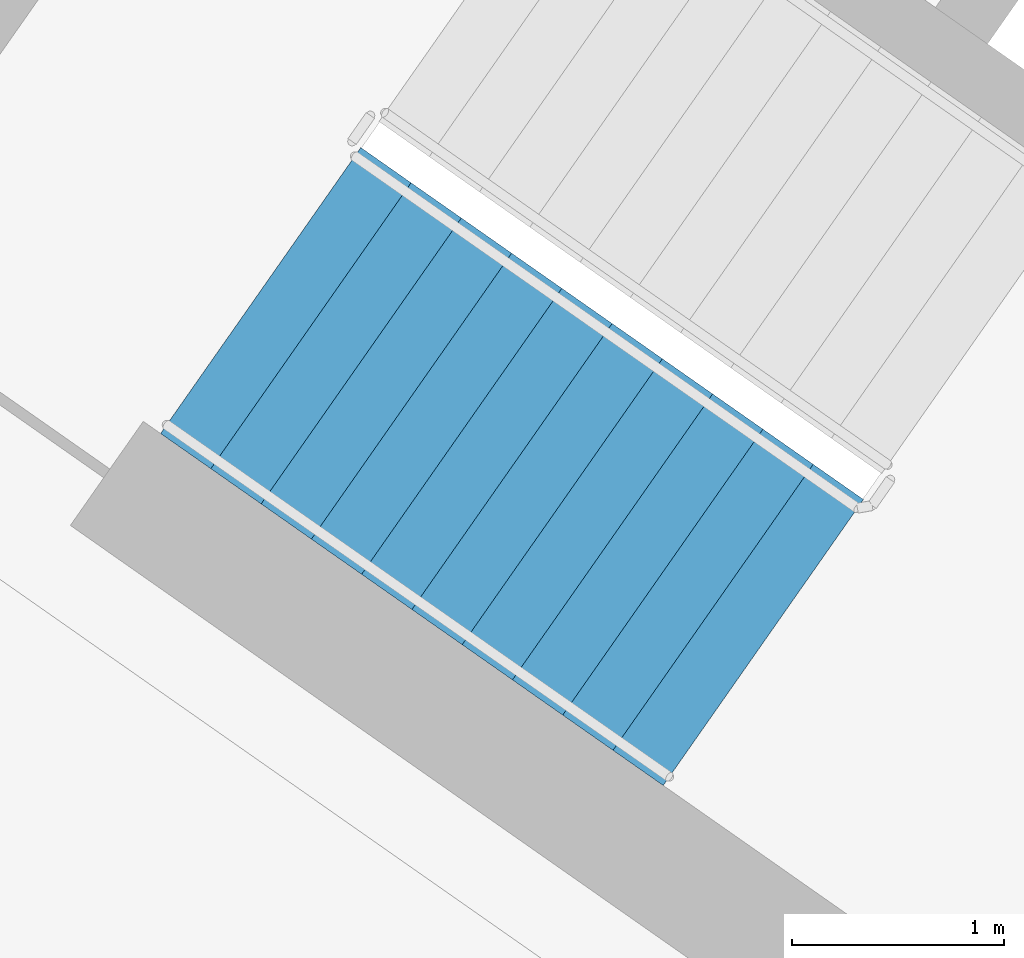
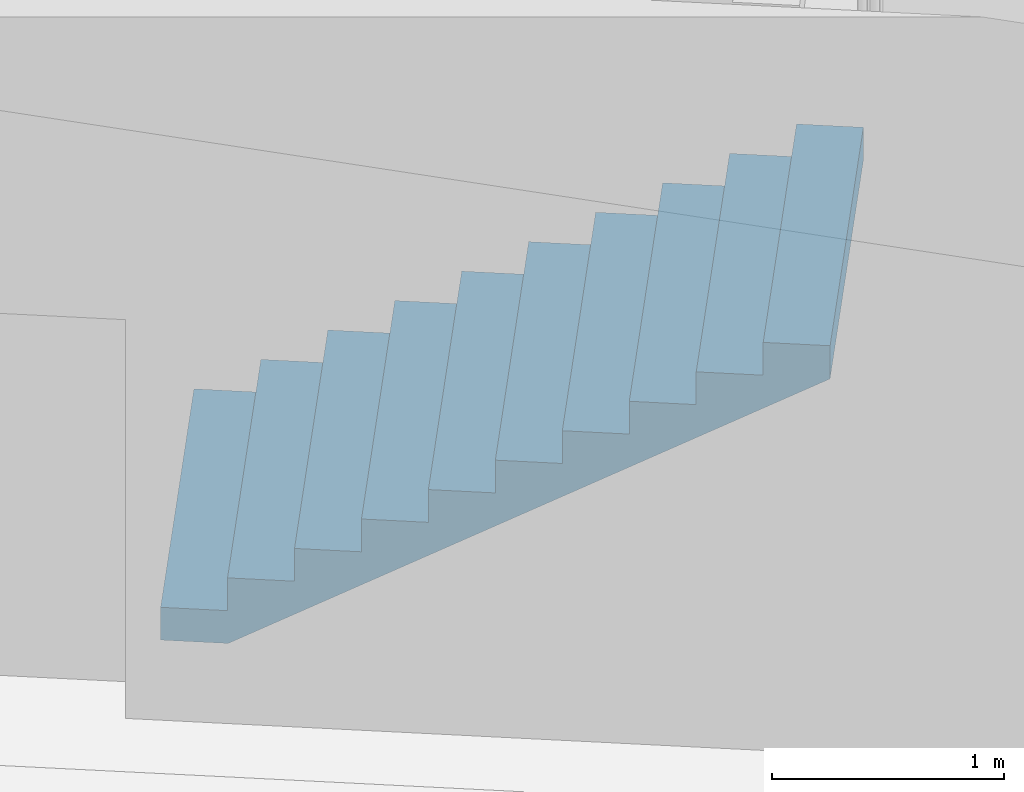
# One storey, part 9 of 27: 1 stair flight, 1 element without a shape of its own.
"""IFC4 building model written with IfcOpenShell, lengths in metres."""

from ifc_helpers import new_model, si_unit, direction, frame, origin, place, context, subcontext, project, spatial, faceted_brep, material, type_object, element, aggregate, save


model = new_model("IFC4")

# Units and contexts
model_context = context("Model", 3, precision=1e-05, world=origin(), true_north=direction((0.0, 1.0)))
body_context = subcontext(model_context, "Body", "Model", "MODEL_VIEW")
ifc_project = project(units=[si_unit("LENGTHUNIT", "METRE"), si_unit("AREAUNIT", "SQUARE_METRE"), si_unit("VOLUMEUNIT", "CUBIC_METRE"), si_unit("PLANEANGLEUNIT", "RADIAN"), si_unit("MASSUNIT", "GRAM", prefix="KILO")], contexts=[model_context])

# Site, building, storey
site_placement = place(None, origin())
site = spatial("IfcSite", under=ifc_project, at=site_placement, CompositionType="ELEMENT")
building_placement = place(site_placement, origin())
building = spatial("IfcBuilding", under=site, at=building_placement, Name="Qamariyya Broadcast Tower", CompositionType="ELEMENT")
storey_placement = place(building_placement, frame((0.0, 0.0, 222.699951171875)))
storey = spatial("IfcBuildingStorey", under=building, at=storey_placement, Name="L53", CompositionType="ELEMENT", Elevation=222.699951171875)

# Stair, stair flight
ifc_material = material(Name="Concrete C50/60", Category="concrete")
stair_type = type_object("IfcStairType", Name="Exit stair 22 risers of 173 mm", PredefinedType="HALF_TURN_STAIR", material=ifc_material)
stair_placement = place(storey_placement, origin())
stair = element("IfcStair", 1, at=stair_placement, inside=storey, type_object=stair_type, Name="L53 Stair W1", PredefinedType="HALF_TURN_STAIR")
stair_flight_type = type_object("IfcStairFlightType", Name="Exit stair flight 11 risers of 173 mm", PredefinedType="STRAIGHT", material=ifc_material)
stair_flight_placement = place(storey_placement, frame((-47.06884765625, -56.982666015625, 0.0), z_axis=(0.0, 0.0, 1.0), x_axis=(0.819152044289, -0.573576436351, 0.0)))
stair_flight = element("IfcStairFlight", 2, at=stair_flight_placement, type_object=stair_flight_type, Name="ST-W1 flight 1", NumberOfRisers=11, NumberOfTreads=10, PredefinedType="STRAIGHT", RiserHeight=0.172727273, TreadLength=0.29, context=body_context, shape_type="Brep", body=[
    faceted_brep([(0.0, 0.824951171875, 0.0), (0.0, 0.824951171875, 0.172607421875), (0.2900390625, 0.824951171875, 0.172607421875), (0.2900390625, 0.824951171875, 0.345458984375), (0.580078125, 0.824951171875, 0.345458984375), (0.580078125, 0.824951171875, 0.51806640625), (0.8701171875, 0.824951171875, 0.51806640625), (0.8701171875, 0.824951171875, 0.69091796875), (1.159912109375, 0.824951171875, 0.69091796875), (1.159912109375, 0.824951171875, 0.863525390625), (1.449951171875, 0.824951171875, 0.863525390625), (1.449951171875, 0.824951171875, 1.036376953125), (1.739990234375, 0.824951171875, 1.036376953125), (1.739990234375, 0.824951171875, 1.208984375), (2.030029296875, 0.824951171875, 1.208984375), (2.030029296875, 0.824951171875, 1.3818359375), (2.320068359375, 0.824951171875, 1.3818359375), (2.320068359375, 0.824951171875, 1.554443359375), (2.610107421875, 0.824951171875, 1.554443359375), (2.610107421875, 0.824951171875, 1.727294921875), (2.89990234375, 0.824951171875, 1.727294921875), (2.89990234375, 0.824951171875, 1.552734375), (0.29296875, 0.824951171875, 0.0), (0.29296875, -0.824951171875, 0.0), (2.89990234375, -0.824951171875, 1.552734375), (2.89990234375, -0.824951171875, 1.727294921875), (2.610107421875, -0.824951171875, 1.727294921875), (2.610107421875, -0.824951171875, 1.554443359375), (2.320068359375, -0.824951171875, 1.554443359375), (2.320068359375, -0.824951171875, 1.3818359375), (2.030029296875, -0.824951171875, 1.3818359375), (2.030029296875, -0.824951171875, 1.208984375), (1.739990234375, -0.824951171875, 1.208984375), (1.739990234375, -0.824951171875, 1.036376953125), (1.449951171875, -0.824951171875, 1.036376953125), (1.449951171875, -0.824951171875, 0.863525390625), (1.159912109375, -0.824951171875, 0.863525390625), (1.159912109375, -0.824951171875, 0.69091796875), (0.8701171875, -0.824951171875, 0.69091796875), (0.8701171875, -0.824951171875, 0.51806640625), (0.580078125, -0.824951171875, 0.51806640625), (0.580078125, -0.824951171875, 0.345458984375), (0.2900390625, -0.824951171875, 0.345458984375), (0.2900390625, -0.824951171875, 0.172607421875), (0.0, -0.824951171875, 0.172607421875), (0.0, -0.824951171875, 0.0), (0.0, 0.10009765625, 0.0), (0.0, 0.086669921875, 0.0), (0.0, 0.0732421875, 0.0), (0.0, 0.06005859375, 0.0), (0.0, 0.046630859375, 0.0), (0.0, 0.033447265625, 0.0), (0.0, 0.02001953125, 0.0), (0.0, 0.006591796875, 0.0), (0.0, -0.006591796875, 0.0), (0.0, -0.02001953125, 0.0), (0.0, -0.033447265625, 0.0), (0.0, -0.046630859375, 0.0), (0.0, -0.06005859375, 0.0), (0.0, -0.0732421875, 0.0), (0.0, -0.086669921875, 0.0), (0.0, -0.10009765625, 0.0), (0.0, -0.10009765625, 0.172607421875), (0.0, -0.086669921875, 0.172607421875), (0.0, -0.0732421875, 0.172607421875), (0.0, -0.06005859375, 0.172607421875), (0.0, -0.046630859375, 0.172607421875), (0.0, -0.033447265625, 0.172607421875), (0.0, -0.02001953125, 0.172607421875), (0.0, -0.006591796875, 0.172607421875), (0.0, 0.006591796875, 0.172607421875), (0.0, 0.02001953125, 0.172607421875), (0.0, 0.033447265625, 0.172607421875), (0.0, 0.046630859375, 0.172607421875), (0.0, 0.06005859375, 0.172607421875), (0.0, 0.0732421875, 0.172607421875), (0.0, 0.086669921875, 0.172607421875), (0.0, 0.10009765625, 0.172607421875), (0.2900390625, -0.10009765625, 0.172607421875), (0.2900390625, -0.086669921875, 0.172607421875), (0.2900390625, -0.0732421875, 0.172607421875), (0.2900390625, -0.06005859375, 0.172607421875), (0.2900390625, -0.046630859375, 0.172607421875), (0.2900390625, -0.033447265625, 0.172607421875), (0.2900390625, -0.02001953125, 0.172607421875), (0.2900390625, -0.006591796875, 0.172607421875), (0.2900390625, 0.006591796875, 0.172607421875), (0.2900390625, 0.02001953125, 0.172607421875), (0.2900390625, 0.033447265625, 0.172607421875), (0.2900390625, 0.046630859375, 0.172607421875), (0.2900390625, 0.06005859375, 0.172607421875), (0.2900390625, 0.0732421875, 0.172607421875), (0.2900390625, 0.086669921875, 0.172607421875), (0.2900390625, 0.10009765625, 0.172607421875), (0.2900390625, -0.10009765625, 0.345458984375), (0.2900390625, -0.086669921875, 0.345458984375), (0.2900390625, -0.0732421875, 0.345458984375), (0.2900390625, -0.06005859375, 0.345458984375), (0.2900390625, -0.046630859375, 0.345458984375), (0.2900390625, -0.033447265625, 0.345458984375), (0.2900390625, -0.02001953125, 0.345458984375), (0.2900390625, -0.006591796875, 0.345458984375), (0.2900390625, 0.006591796875, 0.345458984375), (0.2900390625, 0.02001953125, 0.345458984375), (0.2900390625, 0.033447265625, 0.345458984375), (0.2900390625, 0.046630859375, 0.345458984375), (0.2900390625, 0.06005859375, 0.345458984375), (0.2900390625, 0.0732421875, 0.345458984375), (0.2900390625, 0.086669921875, 0.345458984375), (0.2900390625, 0.10009765625, 0.345458984375), (0.580078125, -0.10009765625, 0.345458984375), (0.580078125, -0.086669921875, 0.345458984375), (0.580078125, -0.0732421875, 0.345458984375), (0.580078125, -0.06005859375, 0.345458984375), (0.580078125, -0.046630859375, 0.345458984375), (0.580078125, -0.033447265625, 0.345458984375), (0.580078125, -0.02001953125, 0.345458984375), (0.580078125, -0.006591796875, 0.345458984375), (0.580078125, 0.006591796875, 0.345458984375), (0.580078125, 0.02001953125, 0.345458984375), (0.580078125, 0.033447265625, 0.345458984375), (0.580078125, 0.046630859375, 0.345458984375), (0.580078125, 0.06005859375, 0.345458984375), (0.580078125, 0.0732421875, 0.345458984375), (0.580078125, 0.086669921875, 0.345458984375), (0.580078125, 0.10009765625, 0.345458984375), (0.580078125, -0.10009765625, 0.51806640625), (0.580078125, -0.086669921875, 0.51806640625), (0.580078125, -0.0732421875, 0.51806640625), (0.580078125, -0.06005859375, 0.51806640625), (0.580078125, -0.046630859375, 0.51806640625), (0.580078125, -0.033447265625, 0.51806640625), (0.580078125, -0.02001953125, 0.51806640625), (0.580078125, -0.006591796875, 0.51806640625), (0.580078125, 0.006591796875, 0.51806640625), (0.580078125, 0.02001953125, 0.51806640625), (0.580078125, 0.033447265625, 0.51806640625), (0.580078125, 0.046630859375, 0.51806640625), (0.580078125, 0.06005859375, 0.51806640625), (0.580078125, 0.0732421875, 0.51806640625), (0.580078125, 0.086669921875, 0.51806640625), (0.580078125, 0.10009765625, 0.51806640625), (0.8701171875, -0.10009765625, 0.51806640625), (0.8701171875, -0.086669921875, 0.51806640625), (0.8701171875, -0.0732421875, 0.51806640625), (0.8701171875, -0.06005859375, 0.51806640625), (0.8701171875, -0.046630859375, 0.51806640625), (0.8701171875, -0.033447265625, 0.51806640625), (0.8701171875, -0.02001953125, 0.51806640625), (0.8701171875, -0.006591796875, 0.51806640625), (0.8701171875, 0.006591796875, 0.51806640625), (0.8701171875, 0.02001953125, 0.51806640625), (0.8701171875, 0.033447265625, 0.51806640625), (0.8701171875, 0.046630859375, 0.51806640625), (0.8701171875, 0.06005859375, 0.51806640625), (0.8701171875, 0.0732421875, 0.51806640625), (0.8701171875, 0.086669921875, 0.51806640625), (0.8701171875, 0.10009765625, 0.51806640625), (0.8701171875, -0.10009765625, 0.69091796875), (0.8701171875, -0.086669921875, 0.69091796875), (0.8701171875, -0.0732421875, 0.69091796875), (0.8701171875, -0.06005859375, 0.69091796875), (0.8701171875, -0.046630859375, 0.69091796875), (0.8701171875, -0.033447265625, 0.69091796875), (0.8701171875, -0.02001953125, 0.69091796875), (0.8701171875, -0.006591796875, 0.69091796875), (0.8701171875, 0.006591796875, 0.69091796875), (0.8701171875, 0.02001953125, 0.69091796875), (0.8701171875, 0.033447265625, 0.69091796875), (0.8701171875, 0.046630859375, 0.69091796875), (0.8701171875, 0.06005859375, 0.69091796875), (0.8701171875, 0.0732421875, 0.69091796875), (0.8701171875, 0.086669921875, 0.69091796875), (0.8701171875, 0.10009765625, 0.69091796875), (1.159912109375, -0.10009765625, 0.69091796875), (1.159912109375, -0.086669921875, 0.69091796875), (1.159912109375, -0.0732421875, 0.69091796875), (1.159912109375, -0.06005859375, 0.69091796875), (1.159912109375, -0.046630859375, 0.69091796875), (1.159912109375, -0.033447265625, 0.69091796875), (1.159912109375, -0.02001953125, 0.69091796875), (1.159912109375, -0.006591796875, 0.69091796875), (1.159912109375, 0.006591796875, 0.69091796875), (1.159912109375, 0.02001953125, 0.69091796875), (1.159912109375, 0.033447265625, 0.69091796875), (1.159912109375, 0.046630859375, 0.69091796875), (1.159912109375, 0.06005859375, 0.69091796875), (1.159912109375, 0.0732421875, 0.69091796875), (1.159912109375, 0.086669921875, 0.69091796875), (1.159912109375, 0.10009765625, 0.69091796875), (1.159912109375, -0.10009765625, 0.863525390625), (1.159912109375, -0.086669921875, 0.863525390625), (1.159912109375, -0.0732421875, 0.863525390625), (1.159912109375, -0.06005859375, 0.863525390625), (1.159912109375, -0.046630859375, 0.863525390625), (1.159912109375, -0.033447265625, 0.863525390625), (1.159912109375, -0.02001953125, 0.863525390625), (1.159912109375, -0.006591796875, 0.863525390625), (1.159912109375, 0.006591796875, 0.863525390625), (1.159912109375, 0.02001953125, 0.863525390625), (1.159912109375, 0.033447265625, 0.863525390625), (1.159912109375, 0.046630859375, 0.863525390625), (1.159912109375, 0.06005859375, 0.863525390625), (1.159912109375, 0.0732421875, 0.863525390625), (1.159912109375, 0.086669921875, 0.863525390625), (1.159912109375, 0.10009765625, 0.863525390625), (1.449951171875, -0.10009765625, 0.863525390625), (1.449951171875, -0.086669921875, 0.863525390625), (1.449951171875, -0.0732421875, 0.863525390625), (1.449951171875, -0.06005859375, 0.863525390625), (1.449951171875, -0.046630859375, 0.863525390625), (1.449951171875, -0.033447265625, 0.863525390625), (1.449951171875, -0.02001953125, 0.863525390625), (1.449951171875, -0.006591796875, 0.863525390625), (1.449951171875, 0.006591796875, 0.863525390625), (1.449951171875, 0.02001953125, 0.863525390625), (1.449951171875, 0.033447265625, 0.863525390625), (1.449951171875, 0.046630859375, 0.863525390625), (1.449951171875, 0.06005859375, 0.863525390625), (1.449951171875, 0.0732421875, 0.863525390625), (1.449951171875, 0.086669921875, 0.863525390625), (1.449951171875, 0.10009765625, 0.863525390625), (1.449951171875, -0.10009765625, 1.036376953125), (1.449951171875, -0.086669921875, 1.036376953125), (1.449951171875, -0.0732421875, 1.036376953125), (1.449951171875, -0.06005859375, 1.036376953125), (1.449951171875, -0.046630859375, 1.036376953125), (1.449951171875, -0.033447265625, 1.036376953125), (1.449951171875, -0.02001953125, 1.036376953125), (1.449951171875, -0.006591796875, 1.036376953125), (1.449951171875, 0.006591796875, 1.036376953125), (1.449951171875, 0.02001953125, 1.036376953125), (1.449951171875, 0.033447265625, 1.036376953125), (1.449951171875, 0.046630859375, 1.036376953125), (1.449951171875, 0.06005859375, 1.036376953125), (1.449951171875, 0.0732421875, 1.036376953125), (1.449951171875, 0.086669921875, 1.036376953125), (1.449951171875, 0.10009765625, 1.036376953125), (1.739990234375, -0.10009765625, 1.036376953125), (1.739990234375, -0.086669921875, 1.036376953125), (1.739990234375, -0.0732421875, 1.036376953125), (1.739990234375, -0.06005859375, 1.036376953125), (1.739990234375, -0.046630859375, 1.036376953125), (1.739990234375, -0.033447265625, 1.036376953125), (1.739990234375, -0.02001953125, 1.036376953125), (1.739990234375, -0.006591796875, 1.036376953125), (1.739990234375, 0.006591796875, 1.036376953125), (1.739990234375, 0.02001953125, 1.036376953125), (1.739990234375, 0.033447265625, 1.036376953125), (1.739990234375, 0.046630859375, 1.036376953125), (1.739990234375, 0.06005859375, 1.036376953125), (1.739990234375, 0.0732421875, 1.036376953125), (1.739990234375, 0.086669921875, 1.036376953125), (1.739990234375, 0.10009765625, 1.036376953125), (1.739990234375, -0.10009765625, 1.208984375), (1.739990234375, -0.086669921875, 1.208984375), (1.739990234375, -0.0732421875, 1.208984375), (1.739990234375, -0.06005859375, 1.208984375), (1.739990234375, -0.046630859375, 1.208984375), (1.739990234375, -0.033447265625, 1.208984375), (1.739990234375, -0.02001953125, 1.208984375), (1.739990234375, -0.006591796875, 1.208984375), (1.739990234375, 0.006591796875, 1.208984375), (1.739990234375, 0.02001953125, 1.208984375), (1.739990234375, 0.033447265625, 1.208984375), (1.739990234375, 0.046630859375, 1.208984375), (1.739990234375, 0.06005859375, 1.208984375), (1.739990234375, 0.0732421875, 1.208984375), (1.739990234375, 0.086669921875, 1.208984375), (1.739990234375, 0.10009765625, 1.208984375), (2.030029296875, -0.10009765625, 1.208984375), (2.030029296875, -0.086669921875, 1.208984375), (2.030029296875, -0.0732421875, 1.208984375), (2.030029296875, -0.06005859375, 1.208984375), (2.030029296875, -0.046630859375, 1.208984375), (2.030029296875, -0.033447265625, 1.208984375), (2.030029296875, -0.02001953125, 1.208984375), (2.030029296875, -0.006591796875, 1.208984375), (2.030029296875, 0.006591796875, 1.208984375), (2.030029296875, 0.02001953125, 1.208984375), (2.030029296875, 0.033447265625, 1.208984375), (2.030029296875, 0.046630859375, 1.208984375), (2.030029296875, 0.06005859375, 1.208984375), (2.030029296875, 0.0732421875, 1.208984375), (2.030029296875, 0.086669921875, 1.208984375), (2.030029296875, 0.10009765625, 1.208984375), (2.030029296875, -0.10009765625, 1.3818359375), (2.030029296875, -0.086669921875, 1.3818359375), (2.030029296875, -0.0732421875, 1.3818359375), (2.030029296875, -0.06005859375, 1.3818359375), (2.030029296875, -0.046630859375, 1.3818359375), (2.030029296875, -0.033447265625, 1.3818359375), (2.030029296875, -0.02001953125, 1.3818359375), (2.030029296875, -0.006591796875, 1.3818359375), (2.030029296875, 0.006591796875, 1.3818359375), (2.030029296875, 0.02001953125, 1.3818359375), (2.030029296875, 0.033447265625, 1.3818359375), (2.030029296875, 0.046630859375, 1.3818359375), (2.030029296875, 0.06005859375, 1.3818359375), (2.030029296875, 0.0732421875, 1.3818359375), (2.030029296875, 0.086669921875, 1.3818359375), (2.030029296875, 0.10009765625, 1.3818359375), (2.320068359375, -0.10009765625, 1.3818359375), (2.320068359375, -0.086669921875, 1.3818359375), (2.320068359375, -0.0732421875, 1.3818359375), (2.320068359375, -0.06005859375, 1.3818359375), (2.320068359375, -0.046630859375, 1.3818359375), (2.320068359375, -0.033447265625, 1.3818359375), (2.320068359375, -0.02001953125, 1.3818359375), (2.320068359375, -0.006591796875, 1.3818359375), (2.320068359375, 0.006591796875, 1.3818359375), (2.320068359375, 0.02001953125, 1.3818359375), (2.320068359375, 0.033447265625, 1.3818359375), (2.320068359375, 0.046630859375, 1.3818359375), (2.320068359375, 0.06005859375, 1.3818359375), (2.320068359375, 0.0732421875, 1.3818359375), (2.320068359375, 0.086669921875, 1.3818359375), (2.320068359375, 0.10009765625, 1.3818359375), (2.320068359375, -0.10009765625, 1.554443359375), (2.320068359375, -0.086669921875, 1.554443359375), (2.320068359375, -0.0732421875, 1.554443359375), (2.320068359375, -0.06005859375, 1.554443359375), (2.320068359375, -0.046630859375, 1.554443359375), (2.320068359375, -0.033447265625, 1.554443359375), (2.320068359375, -0.02001953125, 1.554443359375), (2.320068359375, -0.006591796875, 1.554443359375), (2.320068359375, 0.006591796875, 1.554443359375), (2.320068359375, 0.02001953125, 1.554443359375), (2.320068359375, 0.033447265625, 1.554443359375), (2.320068359375, 0.046630859375, 1.554443359375), (2.320068359375, 0.06005859375, 1.554443359375), (2.320068359375, 0.0732421875, 1.554443359375), (2.320068359375, 0.086669921875, 1.554443359375), (2.320068359375, 0.10009765625, 1.554443359375), (2.610107421875, -0.10009765625, 1.554443359375), (2.610107421875, -0.086669921875, 1.554443359375), (2.610107421875, -0.0732421875, 1.554443359375), (2.610107421875, -0.06005859375, 1.554443359375), (2.610107421875, -0.046630859375, 1.554443359375), (2.610107421875, -0.033447265625, 1.554443359375), (2.610107421875, -0.02001953125, 1.554443359375), (2.610107421875, -0.006591796875, 1.554443359375), (2.610107421875, 0.006591796875, 1.554443359375), (2.610107421875, 0.02001953125, 1.554443359375), (2.610107421875, 0.033447265625, 1.554443359375), (2.610107421875, 0.046630859375, 1.554443359375), (2.610107421875, 0.06005859375, 1.554443359375), (2.610107421875, 0.0732421875, 1.554443359375), (2.610107421875, 0.086669921875, 1.554443359375), (2.610107421875, 0.10009765625, 1.554443359375), (2.610107421875, -0.10009765625, 1.727294921875), (2.610107421875, -0.086669921875, 1.727294921875), (2.610107421875, -0.0732421875, 1.727294921875), (2.610107421875, -0.06005859375, 1.727294921875), (2.610107421875, -0.046630859375, 1.727294921875), (2.610107421875, -0.033447265625, 1.727294921875), (2.610107421875, -0.02001953125, 1.727294921875), (2.610107421875, -0.006591796875, 1.727294921875), (2.610107421875, 0.006591796875, 1.727294921875), (2.610107421875, 0.02001953125, 1.727294921875), (2.610107421875, 0.033447265625, 1.727294921875), (2.610107421875, 0.046630859375, 1.727294921875), (2.610107421875, 0.06005859375, 1.727294921875), (2.610107421875, 0.0732421875, 1.727294921875), (2.610107421875, 0.086669921875, 1.727294921875), (2.610107421875, 0.10009765625, 1.727294921875), (2.89990234375, -0.10009765625, 1.727294921875), (2.89990234375, -0.086669921875, 1.727294921875), (2.89990234375, -0.0732421875, 1.727294921875), (2.89990234375, -0.06005859375, 1.727294921875), (2.89990234375, -0.046630859375, 1.727294921875), (2.89990234375, -0.033447265625, 1.727294921875), (2.89990234375, -0.02001953125, 1.727294921875), (2.89990234375, -0.006591796875, 1.727294921875), (2.89990234375, 0.006591796875, 1.727294921875), (2.89990234375, 0.02001953125, 1.727294921875), (2.89990234375, 0.033447265625, 1.727294921875), (2.89990234375, 0.046630859375, 1.727294921875), (2.89990234375, 0.06005859375, 1.727294921875), (2.89990234375, 0.0732421875, 1.727294921875), (2.89990234375, 0.086669921875, 1.727294921875), (2.89990234375, 0.10009765625, 1.727294921875), (2.89990234375, -0.10009765625, 1.552734375), (2.89990234375, -0.086669921875, 1.552734375), (2.89990234375, -0.0732421875, 1.552734375), (2.89990234375, -0.06005859375, 1.552734375), (2.89990234375, -0.046630859375, 1.552734375), (2.89990234375, -0.033447265625, 1.552734375), (2.89990234375, -0.02001953125, 1.552734375), (2.89990234375, -0.006591796875, 1.552734375), (2.89990234375, 0.006591796875, 1.552734375), (2.89990234375, 0.02001953125, 1.552734375), (2.89990234375, 0.033447265625, 1.552734375), (2.89990234375, 0.046630859375, 1.552734375), (2.89990234375, 0.06005859375, 1.552734375), (2.89990234375, 0.0732421875, 1.552734375), (2.89990234375, 0.086669921875, 1.552734375), (2.89990234375, 0.10009765625, 1.552734375), (0.29296875, -0.10009765625, 0.0), (0.29296875, -0.086669921875, 0.0), (0.29296875, -0.0732421875, 0.0), (0.29296875, -0.06005859375, 0.0), (0.29296875, -0.046630859375, 0.0), (0.29296875, -0.033447265625, 0.0), (0.29296875, -0.02001953125, 0.0), (0.29296875, -0.006591796875, 0.0), (0.29296875, 0.006591796875, 0.0), (0.29296875, 0.02001953125, 0.0), (0.29296875, 0.033447265625, 0.0), (0.29296875, 0.046630859375, 0.0), (0.29296875, 0.06005859375, 0.0), (0.29296875, 0.0732421875, 0.0), (0.29296875, 0.086669921875, 0.0), (0.29296875, 0.10009765625, 0.0)], [[[0, 1, 2, 3, 4, 5, 6, 7, 8, 9, 10, 11, 12, 13, 14, 15, 16, 17, 18, 19, 20, 21, 22]], [[23, 24, 25, 26, 27, 28, 29, 30, 31, 32, 33, 34, 35, 36, 37, 38, 39, 40, 41, 42, 43, 44, 45]], [[0, 46, 47, 48, 49, 50, 51, 52, 53, 54, 55, 56, 57, 58, 59, 60, 61, 45, 44, 62, 63, 64, 65, 66, 67, 68, 69, 70, 71, 72, 73, 74, 75, 76, 77, 1]], [[1, 77, 76, 75, 74, 73, 72, 71, 70, 69, 68, 67, 66, 65, 64, 63, 62, 44, 43, 78, 79, 80, 81, 82, 83, 84, 85, 86, 87, 88, 89, 90, 91, 92, 93, 2]], [[2, 93, 92, 91, 90, 89, 88, 87, 86, 85, 84, 83, 82, 81, 80, 79, 78, 43, 42, 94, 95, 96, 97, 98, 99, 100, 101, 102, 103, 104, 105, 106, 107, 108, 109, 3]], [[3, 109, 108, 107, 106, 105, 104, 103, 102, 101, 100, 99, 98, 97, 96, 95, 94, 42, 41, 110, 111, 112, 113, 114, 115, 116, 117, 118, 119, 120, 121, 122, 123, 124, 125, 4]], [[4, 125, 124, 123, 122, 121, 120, 119, 118, 117, 116, 115, 114, 113, 112, 111, 110, 41, 40, 126, 127, 128, 129, 130, 131, 132, 133, 134, 135, 136, 137, 138, 139, 140, 141, 5]], [[5, 141, 140, 139, 138, 137, 136, 135, 134, 133, 132, 131, 130, 129, 128, 127, 126, 40, 39, 142, 143, 144, 145, 146, 147, 148, 149, 150, 151, 152, 153, 154, 155, 156, 157, 6]], [[6, 157, 156, 155, 154, 153, 152, 151, 150, 149, 148, 147, 146, 145, 144, 143, 142, 39, 38, 158, 159, 160, 161, 162, 163, 164, 165, 166, 167, 168, 169, 170, 171, 172, 173, 7]], [[7, 173, 172, 171, 170, 169, 168, 167, 166, 165, 164, 163, 162, 161, 160, 159, 158, 38, 37, 174, 175, 176, 177, 178, 179, 180, 181, 182, 183, 184, 185, 186, 187, 188, 189, 8]], [[8, 189, 188, 187, 186, 185, 184, 183, 182, 181, 180, 179, 178, 177, 176, 175, 174, 37, 36, 190, 191, 192, 193, 194, 195, 196, 197, 198, 199, 200, 201, 202, 203, 204, 205, 9]], [[9, 205, 204, 203, 202, 201, 200, 199, 198, 197, 196, 195, 194, 193, 192, 191, 190, 36, 35, 206, 207, 208, 209, 210, 211, 212, 213, 214, 215, 216, 217, 218, 219, 220, 221, 10]], [[10, 221, 220, 219, 218, 217, 216, 215, 214, 213, 212, 211, 210, 209, 208, 207, 206, 35, 34, 222, 223, 224, 225, 226, 227, 228, 229, 230, 231, 232, 233, 234, 235, 236, 237, 11]], [[11, 237, 236, 235, 234, 233, 232, 231, 230, 229, 228, 227, 226, 225, 224, 223, 222, 34, 33, 238, 239, 240, 241, 242, 243, 244, 245, 246, 247, 248, 249, 250, 251, 252, 253, 12]], [[12, 253, 252, 251, 250, 249, 248, 247, 246, 245, 244, 243, 242, 241, 240, 239, 238, 33, 32, 254, 255, 256, 257, 258, 259, 260, 261, 262, 263, 264, 265, 266, 267, 268, 269, 13]], [[13, 269, 268, 267, 266, 265, 264, 263, 262, 261, 260, 259, 258, 257, 256, 255, 254, 32, 31, 270, 271, 272, 273, 274, 275, 276, 277, 278, 279, 280, 281, 282, 283, 284, 285, 14]], [[14, 285, 284, 283, 282, 281, 280, 279, 278, 277, 276, 275, 274, 273, 272, 271, 270, 31, 30, 286, 287, 288, 289, 290, 291, 292, 293, 294, 295, 296, 297, 298, 299, 300, 301, 15]], [[15, 301, 300, 299, 298, 297, 296, 295, 294, 293, 292, 291, 290, 289, 288, 287, 286, 30, 29, 302, 303, 304, 305, 306, 307, 308, 309, 310, 311, 312, 313, 314, 315, 316, 317, 16]], [[16, 317, 316, 315, 314, 313, 312, 311, 310, 309, 308, 307, 306, 305, 304, 303, 302, 29, 28, 318, 319, 320, 321, 322, 323, 324, 325, 326, 327, 328, 329, 330, 331, 332, 333, 17]], [[17, 333, 332, 331, 330, 329, 328, 327, 326, 325, 324, 323, 322, 321, 320, 319, 318, 28, 27, 334, 335, 336, 337, 338, 339, 340, 341, 342, 343, 344, 345, 346, 347, 348, 349, 18]], [[18, 349, 348, 347, 346, 345, 344, 343, 342, 341, 340, 339, 338, 337, 336, 335, 334, 27, 26, 350, 351, 352, 353, 354, 355, 356, 357, 358, 359, 360, 361, 362, 363, 364, 365, 19]], [[19, 365, 364, 363, 362, 361, 360, 359, 358, 357, 356, 355, 354, 353, 352, 351, 350, 26, 25, 366, 367, 368, 369, 370, 371, 372, 373, 374, 375, 376, 377, 378, 379, 380, 381, 20]], [[20, 381, 380, 379, 378, 377, 376, 375, 374, 373, 372, 371, 370, 369, 368, 367, 366, 25, 24, 382, 383, 384, 385, 386, 387, 388, 389, 390, 391, 392, 393, 394, 395, 396, 397, 21]], [[21, 397, 396, 395, 394, 393, 392, 391, 390, 389, 388, 387, 386, 385, 384, 383, 382, 24, 23, 398, 399, 400, 401, 402, 403, 404, 405, 406, 407, 408, 409, 410, 411, 412, 413, 22]], [[22, 413, 412, 411, 410, 409, 408, 407, 406, 405, 404, 403, 402, 401, 400, 399, 398, 23, 45, 61, 60, 59, 58, 57, 56, 55, 54, 53, 52, 51, 50, 49, 48, 47, 46, 0]]]),
])
aggregate(stair, [stair_flight])

save(model, "model.ifc")
